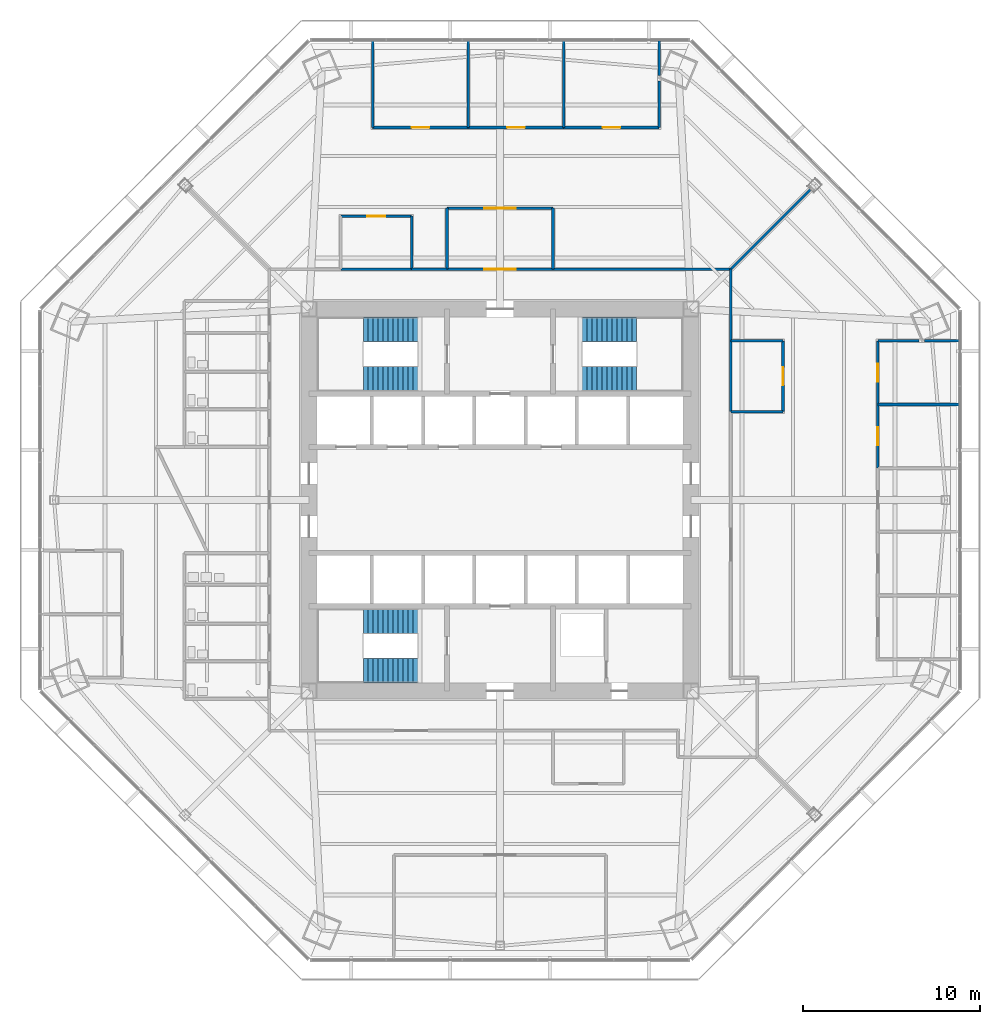
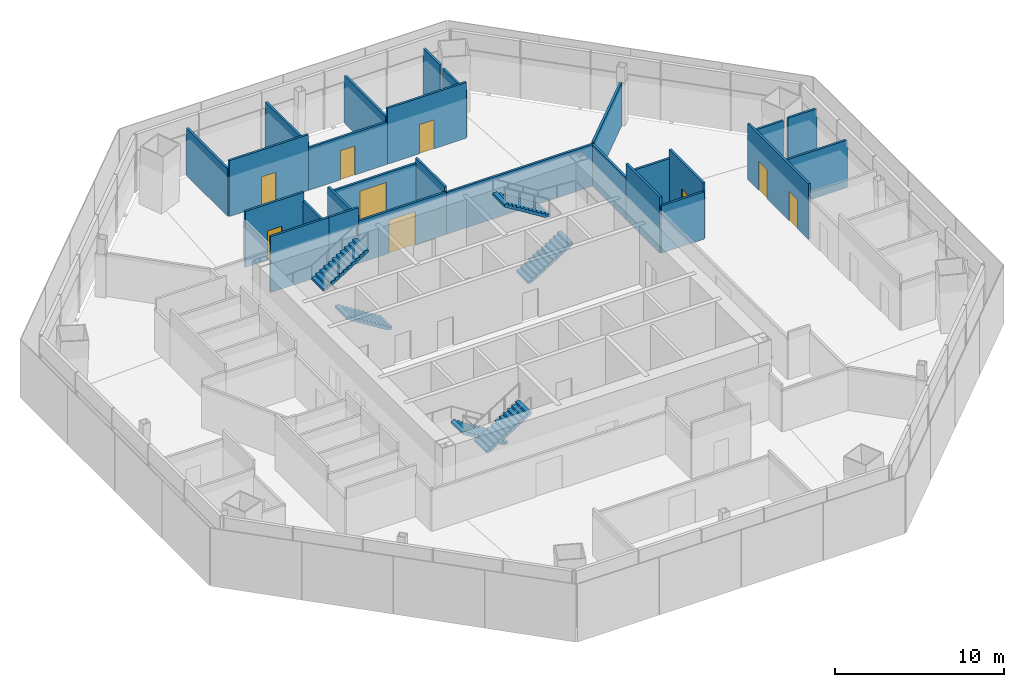
# One storey, part 11 of 15: 27 walls, 9 doors, 6 stair flights, 9 openings, 3 elements without a shape of their own.
"""IFC4 building model written with IfcOpenShell, lengths in metres."""

from ifc_helpers import new_model, si_unit, direction, frame, frame_2d, origin, place, context, subcontext, project, spatial, polyline, rectangle, outline, extrude, material, layer, layer_set, type_object, element, fill, aggregate, save


model = new_model("IFC4")

# Units and contexts
model_context = context("Model", 3, precision=1e-05, world=origin(), true_north=direction((0.0, 1.0)))
body_context = subcontext(model_context, "Body", "Model", "MODEL_VIEW")
ifc_project = project(units=[si_unit("LENGTHUNIT", "METRE"), si_unit("AREAUNIT", "SQUARE_METRE"), si_unit("VOLUMEUNIT", "CUBIC_METRE"), si_unit("PLANEANGLEUNIT", "RADIAN"), si_unit("MASSUNIT", "GRAM", prefix="KILO")], contexts=[model_context])

# Site, building, storey
site_placement = place(None, origin())
site = spatial("IfcSite", under=ifc_project, at=site_placement, CompositionType="ELEMENT")
building_placement = place(site_placement, origin())
building = spatial("IfcBuilding", under=site, at=building_placement, Name="Mashrafa Tower", CompositionType="ELEMENT")
storey_placement = place(building_placement, frame((0.0, 0.0, 70.800048828125)))
storey = spatial("IfcBuildingStorey", under=building, at=storey_placement, Name="L15", CompositionType="ELEMENT", Elevation=70.800048828125)

# Wall, opening, door
ifc_material_1 = material(Name="Gypsum board on steel studs", Category="steel")
ifc_layer_1 = layer(ifc_material_1, 0.14990234375)
ifc_layer_set_1 = layer_set([ifc_layer_1], Name="Corridor partition 150 1 hr")
wall_type_1 = type_object("IfcWallType", Name="Corridor partition 150 1 hr", PredefinedType="PARTITIONING", material=ifc_layer_set_1)
wall_1_placement = place(storey_placement, frame((3.0009765625, 13.050048828125, 0.0), z_axis=(0.0, 0.0, 1.0), x_axis=(-1.0, 0.0, 0.0)))
wall_1 = element("IfcWall", 1, at=wall_1_placement, inside=storey, type_object=wall_type_1, Name="Corridor wall L15-010", PredefinedType="PARTITIONING", context=body_context, shape_type="SweptSolid", body=[
    extrude(rectangle(XDim=6.001953125, YDim=0.14990234375, at=frame_2d((3.0009765625, 0.0))), origin(), (0.0, 0.0, 1.0), 3.06494140625),
])
opening_1_placement = place(wall_1_placement, frame((2.10107421875, 0.0, 0.0)))
opening_1 = element("IfcOpeningElement", 2, at=opening_1_placement, cuts=wall_1, Name="Opening 15.010", PredefinedType="OPENING", context=body_context, shape_type="SweptSolid", body=[
    extrude(rectangle(XDim=1.800048828125, YDim=2.39990234375, at=frame_2d((0.89990234375, 1.199951171875))), frame((0.0, 0.0849609375, 0.0), z_axis=(0.0, -1.0, 0.0), x_axis=(1.0, 0.0, 0.0)), (0.0, 0.0, 1.0), 0.169921875),
])
ifc_material_2 = material(Name="Steel door", Category="steel")
door_type_1 = type_object("IfcDoorType", Name="Door pair 1800 x 2400 90 min", OperationType="DOUBLE_DOOR_SINGLE_SWING", PredefinedType="DOOR", material=ifc_material_2)
door_1_placement = place(opening_1_placement, origin())
door_1 = element("IfcDoor", 3, at=door_1_placement, inside=storey, type_object=door_type_1, Name="Reception 15-N door", OperationType="DOUBLE_DOOR_SINGLE_SWING", OverallHeight=2.39990234375, OverallWidth=1.800048828125, PredefinedType="DOOR", context=body_context, shape_type="SweptSolid", body=[
    extrude(rectangle(XDim=1.800048828125, YDim=2.39990234375, at=frame_2d((0.89990234375, 1.199951171875))), frame((0.0, 0.02490234375, 0.0), z_axis=(0.0, -1.0, 0.0), x_axis=(1.0, 0.0, 0.0)), (0.0, 0.0, 1.0), 0.050048828125),
])
fill(opening_1, door_1)

# Walls
for number, where, z_axis, x_axis, name in (
    (4, (-4.9990234375, 13.050048828125, 0.0), (0.0, 0.0, 1.0), (-1.0, 0.0, 0.0), "Corridor wall L15-011"),
    (5, (13.050048828125, 4.9990234375, 0.0), (0.0, 0.0, 1.0), (0.0, 1.0, 0.0), "Corridor wall L15-012"),
):
    element("IfcWall", number, at=place(storey_placement, frame(where, z_axis=z_axis, x_axis=x_axis)), inside=storey, type_object=wall_type_1, Name=name, PredefinedType="PARTITIONING", context=body_context, shape_type="SweptSolid", body=[
        extrude(rectangle(XDim=4.001953125, YDim=0.14990234375, at=frame_2d((2.0009765625, 0.0))), origin(), (0.0, 0.0, 1.0), 4.034912109375),
    ])
wall_2_placement = place(storey_placement, frame((-2.9990234375, 13.050048828125, 0.0), z_axis=(0.0, 0.0, 1.0), x_axis=(-1.0, 0.0, 0.0)))
element("IfcWall", 6, at=wall_2_placement, inside=storey, type_object=wall_type_1, Name="Corridor wall L15-015", PredefinedType="PARTITIONING", context=body_context, shape_type="SweptSolid", body=[
    extrude(rectangle(XDim=2.001953125, YDim=0.14990234375, at=frame_2d((1.0009765625, 0.0))), origin(), (0.0, 0.0, 1.0), 4.034912109375),
])
wall_3_placement = place(storey_placement, frame((13.050048828125, 13.050048828125, 0.0), z_axis=(0.0, 0.0, 1.0), x_axis=(-1.0, 0.0, 0.0)))
element("IfcWall", 7, at=wall_3_placement, inside=storey, type_object=wall_type_1, Name="Corridor wall L15-016", PredefinedType="PARTITIONING", context=body_context, shape_type="SweptSolid", body=[
    extrude(rectangle(XDim=10.051025390625, YDim=0.14990234375, at=frame_2d((5.025390625, 0.0))), origin(), (0.0, 0.0, 1.0), 3.01416015625),
])
wall_4_placement = place(storey_placement, frame((13.050048828125, 8.9990234375, 0.0), z_axis=(0.0, 0.0, 1.0), x_axis=(0.0, 1.0, 0.0)))
element("IfcWall", 8, at=wall_4_placement, inside=storey, type_object=wall_type_1, Name="Corridor wall L15-017", PredefinedType="PARTITIONING", context=body_context, shape_type="SweptSolid", body=[
    extrude(rectangle(XDim=4.051025390625, YDim=0.14990234375, at=frame_2d((2.025390625, 0.0))), origin(), (0.0, 0.0, 1.0), 3.01416015625),
])
wall_5_placement = place(storey_placement, frame((3.0, 13.050048828125, 0.0), z_axis=(0.0, 0.0, 1.0), x_axis=(0.0, 1.0, 0.0)))
element("IfcWall", 9, at=wall_5_placement, inside=storey, type_object=wall_type_1, Name="Corridor wall L15-048", PredefinedType="PARTITIONING", context=body_context, shape_type="SweptSolid", body=[
    extrude(rectangle(XDim=3.449951171875, YDim=0.14990234375, at=frame_2d((1.72509765625, 0.0))), origin(), (0.0, 0.0, 1.0), 3.4228515625),
])

# Wall, opening, door
wall_6_placement = place(storey_placement, frame((3.0, 16.5, 0.0), z_axis=(0.0, 0.0, 1.0), x_axis=(-1.0, 0.0, 0.0)))
wall_6 = element("IfcWall", 10, at=wall_6_placement, inside=storey, type_object=wall_type_1, Name="Corridor wall L15-049", PredefinedType="PARTITIONING", context=body_context, shape_type="SweptSolid", body=[
    extrude(rectangle(XDim=6.0, YDim=0.14990234375, at=frame_2d((3.0, 0.0))), origin(), (0.0, 0.0, 1.0), 3.06494140625),
])
opening_2_placement = place(wall_6_placement, frame((2.10009765625, 0.0, 0.0)))
opening_2 = element("IfcOpeningElement", 11, at=opening_2_placement, cuts=wall_6, Name="Opening 15.025", PredefinedType="OPENING", context=body_context, shape_type="SweptSolid", body=[
    extrude(rectangle(XDim=1.800048828125, YDim=2.39990234375, at=frame_2d((0.89990234375, 1.199951171875))), frame((0.0, 0.0849609375, 0.0), z_axis=(0.0, -1.0, 0.0), x_axis=(1.0, 0.0, 0.0)), (0.0, 0.0, 1.0), 0.169921875),
])
door_2_placement = place(opening_2_placement, frame((1.800048828125, 0.0, 0.0), z_axis=(0.0, 0.0, 1.0), x_axis=(-1.0, 0.0, 0.0)))
door_2 = element("IfcDoor", 12, at=door_2_placement, inside=storey, type_object=door_type_1, Name="Office Tenancy 15-N door", OperationType="DOUBLE_DOOR_SINGLE_SWING", OverallHeight=2.39990234375, OverallWidth=1.800048828125, PredefinedType="DOOR", context=body_context, shape_type="SweptSolid", body=[
    extrude(rectangle(XDim=1.800048828125, YDim=2.39990234375, at=frame_2d((0.89990234375, 1.199951171875))), frame((0.0, 0.02490234375, 0.0), z_axis=(0.0, -1.0, 0.0), x_axis=(1.0, 0.0, 0.0)), (0.0, 0.0, 1.0), 0.050048828125),
])
fill(opening_2, door_2)

# Walls
wall_7_placement = place(storey_placement, frame((-3.0, 16.5, 0.0), z_axis=(0.0, 0.0, 1.0), x_axis=(0.0, -1.0, 0.0)))
element("IfcWall", 13, at=wall_7_placement, inside=storey, type_object=wall_type_1, Name="Corridor wall L15-050", PredefinedType="PARTITIONING", context=body_context, shape_type="SweptSolid", body=[
    extrude(rectangle(XDim=3.449951171875, YDim=0.14990234375, at=frame_2d((1.72509765625, 0.0))), origin(), (0.0, 0.0, 1.0), 3.4228515625),
])
ifc_material_3 = material(Name="Gypsum board on steel studs", Category="steel")
ifc_layer_2 = layer(ifc_material_3, 0.14990234375)
ifc_layer_set_2 = layer_set([ifc_layer_2], Name="Partition 150")
wall_type_2 = type_object("IfcWallType", Name="Partition 150", PredefinedType="PARTITIONING", material=ifc_layer_set_2)
wall_8_placement = place(storey_placement, frame((-5.0, 13.050048828125, 0.0), z_axis=(0.0, 0.0, 1.0), x_axis=(0.0, 1.0, 0.0)))
element("IfcWall", 14, at=wall_8_placement, inside=storey, type_object=wall_type_2, Name="Partition wall L15-051", PredefinedType="PARTITIONING", context=body_context, shape_type="SweptSolid", body=[
    extrude(rectangle(XDim=3.0, YDim=0.14990234375, at=frame_2d((1.5, 0.0))), origin(), (0.0, 0.0, 1.0), 3.4228515625),
])

# Wall, opening, door
wall_9_placement = place(storey_placement, frame((-5.0, 16.050048828125, 0.0), z_axis=(0.0, 0.0, 1.0), x_axis=(-1.0, 0.0, 0.0)))
wall_9 = element("IfcWall", 15, at=wall_9_placement, inside=storey, type_object=wall_type_2, Name="Partition wall L15-052", PredefinedType="PARTITIONING", context=body_context, shape_type="SweptSolid", body=[
    extrude(rectangle(XDim=4.0, YDim=0.14990234375, at=frame_2d((2.0, 0.0))), origin(), (0.0, 0.0, 1.0), 4.034912109375),
])
opening_3_placement = place(wall_9_placement, frame((1.5, 0.0, 0.0)))
opening_3 = element("IfcOpeningElement", 16, at=opening_3_placement, cuts=wall_9, Name="Opening 15.011", PredefinedType="OPENING", context=body_context, shape_type="SweptSolid", body=[
    extrude(rectangle(XDim=1.0, YDim=2.10009765625, at=frame_2d((0.5, 1.050048828125))), frame((0.0, 0.0849609375, 0.0), z_axis=(0.0, -1.0, 0.0), x_axis=(1.0, 0.0, 0.0)), (0.0, 0.0, 1.0), 0.169921875),
])
ifc_material_4 = material(Name="Timber door", Category="wood")
door_type_2 = type_object("IfcDoorType", Name="Door 1000 x 2100", OperationType="USERDEFINED", PredefinedType="DOOR", material=ifc_material_4)
door_3_placement = place(opening_3_placement, origin())
door_3 = element("IfcDoor", 17, at=door_3_placement, inside=storey, type_object=door_type_2, Name="Pantry 15-N door", OperationType="SINGLE_SWING_LEFT", OverallHeight=2.10009765625, OverallWidth=1.0, PredefinedType="DOOR", context=body_context, shape_type="SweptSolid", body=[
    extrude(rectangle(XDim=1.0, YDim=2.10009765625, at=frame_2d((0.5, 1.050048828125))), frame((0.0, 0.02490234375, 0.0), z_axis=(0.0, -1.0, 0.0), x_axis=(1.0, 0.0, 0.0)), (0.0, 0.0, 1.0), 0.050048828125),
])
fill(opening_3, door_3)

# Wall
wall_10_placement = place(storey_placement, frame((13.050048828125, 5.0, 0.0), z_axis=(0.0, 0.0, 1.0), x_axis=(1.0, 0.0, 0.0)))
element("IfcWall", 18, at=wall_10_placement, inside=storey, type_object=wall_type_2, Name="Partition wall L15-054", PredefinedType="PARTITIONING", context=body_context, shape_type="SweptSolid", body=[
    extrude(rectangle(XDim=2.949951171875, YDim=0.14990234375, at=frame_2d((1.47509765625, 0.0))), origin(), (0.0, 0.0, 1.0), 3.4228515625),
])

# Wall, opening, door
wall_11_placement = place(storey_placement, frame((16.0, 5.0, 0.0), z_axis=(0.0, 0.0, 1.0), x_axis=(0.0, 1.0, 0.0)))
wall_11 = element("IfcWall", 19, at=wall_11_placement, inside=storey, type_object=wall_type_2, Name="Partition wall L15-055", PredefinedType="PARTITIONING", context=body_context, shape_type="SweptSolid", body=[
    extrude(rectangle(XDim=4.0, YDim=0.14990234375, at=frame_2d((2.0, 0.0))), origin(), (0.0, 0.0, 1.0), 4.034912109375),
])
opening_4_placement = place(wall_11_placement, frame((1.5, 0.0, 0.0)))
opening_4 = element("IfcOpeningElement", 20, at=opening_4_placement, cuts=wall_11, Name="Opening 15.012", PredefinedType="OPENING", context=body_context, shape_type="SweptSolid", body=[
    extrude(rectangle(XDim=1.0, YDim=2.10009765625, at=frame_2d((0.5, 1.050048828125))), frame((0.0, 0.0849609375, 0.0), z_axis=(0.0, -1.0, 0.0), x_axis=(1.0, 0.0, 0.0)), (0.0, 0.0, 1.0), 0.169921875),
])
door_4_placement = place(opening_4_placement, origin())
door_4 = element("IfcDoor", 21, at=door_4_placement, inside=storey, type_object=door_type_2, Name="Pantry 15-E door", OperationType="SINGLE_SWING_LEFT", OverallHeight=2.10009765625, OverallWidth=1.0, PredefinedType="DOOR", context=body_context, shape_type="SweptSolid", body=[
    extrude(rectangle(XDim=1.0, YDim=2.10009765625, at=frame_2d((0.5, 1.050048828125))), frame((0.0, 0.02490234375, 0.0), z_axis=(0.0, -1.0, 0.0), x_axis=(1.0, 0.0, 0.0)), (0.0, 0.0, 1.0), 0.050048828125),
])
fill(opening_4, door_4)

# Walls
wall_12_placement = place(storey_placement, frame((16.0, 9.0, 0.0), z_axis=(0.0, 0.0, 1.0), x_axis=(-1.0, 0.0, 0.0)))
element("IfcWall", 22, at=wall_12_placement, inside=storey, type_object=wall_type_2, Name="Partition wall L15-056", PredefinedType="PARTITIONING", context=body_context, shape_type="SweptSolid", body=[
    extrude(rectangle(XDim=2.949951171875, YDim=0.14990234375, at=frame_2d((1.47509765625, 0.0))), origin(), (0.0, 0.0, 1.0), 3.4228515625),
])
wall_13_placement = place(storey_placement, frame((3.60009765625, 25.993896484375, 0.0), z_axis=(0.0, 0.0, 1.0), x_axis=(0.0, -1.0, 0.0)))
element("IfcWall", 23, at=wall_13_placement, inside=storey, type_object=wall_type_2, Name="Partition wall L15-063", PredefinedType="PARTITIONING", context=body_context, shape_type="SweptSolid", body=[
    extrude(rectangle(XDim=4.931884765625, YDim=0.14990234375, at=frame_2d((2.4658203125, 0.0))), origin(), (0.0, 0.0, 1.0), 3.4228515625),
])

# Wall, opening, door
wall_14_placement = place(storey_placement, frame((3.60009765625, 21.06201171875, 0.0), z_axis=(0.0, 0.0, 1.0), x_axis=(1.0, 0.0, 0.0)))
wall_14 = element("IfcWall", 24, at=wall_14_placement, inside=storey, type_object=wall_type_2, Name="Partition wall L15-064", PredefinedType="PARTITIONING", context=body_context, shape_type="SweptSolid", body=[
    extrude(rectangle(XDim=5.39990234375, YDim=0.14990234375, at=frame_2d((2.699951171875, 0.0))), origin(), (0.0, 0.0, 1.0), 4.034912109375),
])
opening_5_placement = place(wall_14_placement, frame((2.199951171875, 0.0, 0.0)))
opening_5 = element("IfcOpeningElement", 25, at=opening_5_placement, cuts=wall_14, Name="Opening 15.015", PredefinedType="OPENING", context=body_context, shape_type="SweptSolid", body=[
    extrude(rectangle(XDim=1.0, YDim=2.10009765625, at=frame_2d((0.5, 1.050048828125))), frame((0.0, 0.0849609375, 0.0), z_axis=(0.0, -1.0, 0.0), x_axis=(1.0, 0.0, 0.0)), (0.0, 0.0, 1.0), 0.169921875),
])
door_5_placement = place(opening_5_placement, origin())
door_5 = element("IfcDoor", 26, at=door_5_placement, inside=storey, type_object=door_type_2, Name="Meeting Room 15-N-1 door", OperationType="SINGLE_SWING_RIGHT", OverallHeight=2.10009765625, OverallWidth=1.0, PredefinedType="DOOR", context=body_context, shape_type="SweptSolid", body=[
    extrude(rectangle(XDim=1.0, YDim=2.10009765625, at=frame_2d((0.5, 1.050048828125))), frame((0.0, 0.02490234375, 0.0), z_axis=(0.0, -1.0, 0.0), x_axis=(1.0, 0.0, 0.0)), (0.0, 0.0, 1.0), 0.050048828125),
])
fill(opening_5, door_5)

# Walls
wall_15_placement = place(storey_placement, frame((9.0, 21.06201171875, 0.0), z_axis=(0.0, 0.0, 1.0), x_axis=(0.0, 1.0, 0.0)))
element("IfcWall", 27, at=wall_15_placement, inside=storey, type_object=wall_type_2, Name="Partition wall L15-065", PredefinedType="PARTITIONING", context=body_context, shape_type="SweptSolid", body=[
    extrude(rectangle(XDim=2.638427734375, YDim=0.14990234375, at=frame_2d((1.3193359375, 0.0))), origin(), (0.0, 0.0, 1.0), 3.4228515625),
])
wall_16_placement = place(storey_placement, frame((9.0, 23.998779296875, 0.0), z_axis=(0.0, 0.0, 1.0), x_axis=(0.0, 1.0, 0.0)))
element("IfcWall", 28, at=wall_16_placement, inside=storey, type_object=wall_type_2, Name="Partition wall L15-066", PredefinedType="PARTITIONING", context=body_context, shape_type="SweptSolid", body=[
    extrude(rectangle(XDim=1.9951171875, YDim=0.14990234375, at=frame_2d((0.99755859375, 0.0))), origin(), (0.0, 0.0, 1.0), 3.49658203125),
])
wall_17_placement = place(storey_placement, frame((-1.800048828125, 25.993896484375, 0.0), z_axis=(0.0, 0.0, 1.0), x_axis=(0.0, -1.0, 0.0)))
element("IfcWall", 29, at=wall_17_placement, inside=storey, type_object=wall_type_2, Name="Partition wall L15-067", PredefinedType="PARTITIONING", context=body_context, shape_type="SweptSolid", body=[
    extrude(rectangle(XDim=4.931884765625, YDim=0.14990234375, at=frame_2d((2.4658203125, 0.0))), origin(), (0.0, 0.0, 1.0), 3.4228515625),
])

# Wall, opening, door
wall_18_placement = place(storey_placement, frame((-1.800048828125, 21.06201171875, 0.0), z_axis=(0.0, 0.0, 1.0), x_axis=(1.0, 0.0, 0.0)))
wall_18 = element("IfcWall", 30, at=wall_18_placement, inside=storey, type_object=wall_type_2, Name="Partition wall L15-068", PredefinedType="PARTITIONING", context=body_context, shape_type="SweptSolid", body=[
    extrude(rectangle(XDim=5.400146484375, YDim=0.14990234375, at=frame_2d((2.7001953125, 0.0))), origin(), (0.0, 0.0, 1.0), 3.06494140625),
])
opening_6_placement = place(wall_18_placement, frame((2.199951171875, 0.0, 0.0)))
opening_6 = element("IfcOpeningElement", 31, at=opening_6_placement, cuts=wall_18, Name="Opening 15.016", PredefinedType="OPENING", context=body_context, shape_type="SweptSolid", body=[
    extrude(rectangle(XDim=1.0, YDim=2.10009765625, at=frame_2d((0.5, 1.050048828125))), frame((0.0, 0.0849609375, 0.0), z_axis=(0.0, -1.0, 0.0), x_axis=(1.0, 0.0, 0.0)), (0.0, 0.0, 1.0), 0.169921875),
])
door_6_placement = place(opening_6_placement, origin())
door_6 = element("IfcDoor", 32, at=door_6_placement, inside=storey, type_object=door_type_2, Name="Meeting Room 15-N-2 door", OperationType="SINGLE_SWING_LEFT", OverallHeight=2.10009765625, OverallWidth=1.0, PredefinedType="DOOR", context=body_context, shape_type="SweptSolid", body=[
    extrude(rectangle(XDim=1.0, YDim=2.10009765625, at=frame_2d((0.5, 1.050048828125))), frame((0.0, 0.02490234375, 0.0), z_axis=(0.0, -1.0, 0.0), x_axis=(1.0, 0.0, 0.0)), (0.0, 0.0, 1.0), 0.050048828125),
])
fill(opening_6, door_6)

# Wall
wall_19_placement = place(storey_placement, frame((-7.199951171875, 25.993896484375, 0.0), z_axis=(0.0, 0.0, 1.0), x_axis=(0.0, -1.0, 0.0)))
element("IfcWall", 33, at=wall_19_placement, inside=storey, type_object=wall_type_2, Name="Partition wall L15-069", PredefinedType="PARTITIONING", context=body_context, shape_type="SweptSolid", body=[
    extrude(rectangle(XDim=4.931884765625, YDim=0.14990234375, at=frame_2d((2.4658203125, 0.0))), origin(), (0.0, 0.0, 1.0), 3.4228515625),
])

# Wall, opening, door
wall_20_placement = place(storey_placement, frame((-7.199951171875, 21.06201171875, 0.0), z_axis=(0.0, 0.0, 1.0), x_axis=(1.0, 0.0, 0.0)))
wall_20 = element("IfcWall", 34, at=wall_20_placement, inside=storey, type_object=wall_type_2, Name="Partition wall L15-070", PredefinedType="PARTITIONING", context=body_context, shape_type="SweptSolid", body=[
    extrude(rectangle(XDim=5.39990234375, YDim=0.14990234375, at=frame_2d((2.699951171875, 0.0))), origin(), (0.0, 0.0, 1.0), 4.034912109375),
])
opening_7_placement = place(wall_20_placement, frame((2.199951171875, 0.0, 0.0)))
opening_7 = element("IfcOpeningElement", 35, at=opening_7_placement, cuts=wall_20, Name="Opening 15.017", PredefinedType="OPENING", context=body_context, shape_type="SweptSolid", body=[
    extrude(rectangle(XDim=1.0, YDim=2.10009765625, at=frame_2d((0.5, 1.050048828125))), frame((0.0, 0.0849609375, 0.0), z_axis=(0.0, -1.0, 0.0), x_axis=(1.0, 0.0, 0.0)), (0.0, 0.0, 1.0), 0.169921875),
])
door_7_placement = place(opening_7_placement, origin())
door_7 = element("IfcDoor", 36, at=door_7_placement, inside=storey, type_object=door_type_2, Name="Meeting Room 15-N-3 door", OperationType="SINGLE_SWING_LEFT", OverallHeight=2.10009765625, OverallWidth=1.0, PredefinedType="DOOR", context=body_context, shape_type="SweptSolid", body=[
    extrude(rectangle(XDim=1.0, YDim=2.10009765625, at=frame_2d((0.5, 1.050048828125))), frame((0.0, 0.02490234375, 0.0), z_axis=(0.0, -1.0, 0.0), x_axis=(1.0, 0.0, 0.0)), (0.0, 0.0, 1.0), 0.050048828125),
])
fill(opening_7, door_7)

# Wall
wall_21_placement = place(storey_placement, frame((25.993896484375, 5.39990234375, 0.0), z_axis=(0.0, 0.0, 1.0), x_axis=(-1.0, 0.0, 0.0)))
element("IfcWall", 37, at=wall_21_placement, inside=storey, type_object=wall_type_2, Name="Partition wall L15-079", PredefinedType="PARTITIONING", context=body_context, shape_type="SweptSolid", body=[
    extrude(rectangle(XDim=4.632080078125, YDim=0.14990234375, at=frame_2d((2.31591796875, 0.0))), origin(), (0.0, 0.0, 1.0), 3.4228515625),
])

# Wall, openings, doors
wall_22_placement = place(storey_placement, frame((21.36181640625, 1.800048828125, 0.0), z_axis=(0.0, 0.0, 1.0), x_axis=(0.0, 1.0, 0.0)))
wall_22 = element("IfcWall", 38, at=wall_22_placement, inside=storey, type_object=wall_type_2, Name="Partition wall L15-080", PredefinedType="PARTITIONING", context=body_context, shape_type="SweptSolid", body=[
    extrude(rectangle(XDim=7.199951171875, YDim=0.14990234375, at=frame_2d((3.60009765625, 0.0))), origin(), (0.0, 0.0, 1.0), 4.034912109375),
])
opening_8_placement = place(wall_22_placement, frame((1.300048828125, 0.0, 0.0)))
opening_8 = element("IfcOpeningElement", 39, at=opening_8_placement, cuts=wall_22, Name="Opening 15.021", PredefinedType="OPENING", context=body_context, shape_type="SweptSolid", body=[
    extrude(rectangle(XDim=1.0, YDim=2.10009765625, at=frame_2d((0.5, 1.050048828125))), frame((0.0, 0.0849609375, 0.0), z_axis=(0.0, -1.0, 0.0), x_axis=(1.0, 0.0, 0.0)), (0.0, 0.0, 1.0), 0.169921875),
])
opening_9_placement = place(wall_22_placement, frame((4.89990234375, 0.0, 0.0)))
opening_9 = element("IfcOpeningElement", 40, at=opening_9_placement, cuts=wall_22, Name="Opening 15.022", PredefinedType="OPENING", context=body_context, shape_type="SweptSolid", body=[
    extrude(rectangle(XDim=1.0, YDim=2.10009765625, at=frame_2d((0.5, 1.050048828125))), frame((0.0, 0.0849609375, 0.0), z_axis=(0.0, -1.0, 0.0), x_axis=(1.0, 0.0, 0.0)), (0.0, 0.0, 1.0), 0.169921875),
])
door_8_placement = place(opening_8_placement, frame((1.0, 0.0, 0.0), z_axis=(0.0, 0.0, 1.0), x_axis=(-1.0, 0.0, 0.0)))
door_8 = element("IfcDoor", 41, at=door_8_placement, inside=storey, type_object=door_type_2, Name="Office 15-E-4 door", OperationType="SINGLE_SWING_RIGHT", OverallHeight=2.10009765625, OverallWidth=1.0, PredefinedType="DOOR", context=body_context, shape_type="SweptSolid", body=[
    extrude(rectangle(XDim=1.0, YDim=2.10009765625, at=frame_2d((0.5, 1.050048828125))), frame((0.0, 0.02490234375, 0.0), z_axis=(0.0, -1.0, 0.0), x_axis=(1.0, 0.0, 0.0)), (0.0, 0.0, 1.0), 0.050048828125),
])
fill(opening_8, door_8)
door_9_placement = place(opening_9_placement, frame((1.0, 0.0, 0.0), z_axis=(0.0, 0.0, 1.0), x_axis=(-1.0, 0.0, 0.0)))
door_9 = element("IfcDoor", 42, at=door_9_placement, inside=storey, type_object=door_type_2, Name="Office 15-E-5 door", OperationType="SINGLE_SWING_LEFT", OverallHeight=2.10009765625, OverallWidth=1.0, PredefinedType="DOOR", context=body_context, shape_type="SweptSolid", body=[
    extrude(rectangle(XDim=1.0, YDim=2.10009765625, at=frame_2d((0.5, 1.050048828125))), frame((0.0, 0.02490234375, 0.0), z_axis=(0.0, -1.0, 0.0), x_axis=(1.0, 0.0, 0.0)), (0.0, 0.0, 1.0), 0.050048828125),
])
fill(opening_9, door_9)

# Walls
wall_23_placement = place(storey_placement, frame((25.993896484375, 9.0, 0.0), z_axis=(0.0, 0.0, 1.0), x_axis=(-1.0, 0.0, 0.0)))
element("IfcWall", 43, at=wall_23_placement, inside=storey, type_object=wall_type_2, Name="Partition wall L15-081", PredefinedType="PARTITIONING", context=body_context, shape_type="SweptSolid", body=[
    extrude(rectangle(XDim=1.9951171875, YDim=0.14990234375, at=frame_2d((0.99755859375, 0.0))), origin(), (0.0, 0.0, 1.0), 3.49658203125),
])
wall_24_placement = place(storey_placement, frame((23.700439453125, 9.0, 0.0), z_axis=(0.0, 0.0, 1.0), x_axis=(-1.0, 0.0, 0.0)))
element("IfcWall", 44, at=wall_24_placement, inside=storey, type_object=wall_type_2, Name="Partition wall L15-082", PredefinedType="PARTITIONING", context=body_context, shape_type="SweptSolid", body=[
    extrude(rectangle(XDim=2.338623046875, YDim=0.14990234375, at=frame_2d((1.16943359375, 0.0))), origin(), (0.0, 0.0, 1.0), 3.4228515625),
])
wall_25_placement = place(storey_placement, frame((13.050048828125, 13.050048828125, 0.0), z_axis=(0.0, 0.0, 1.0), x_axis=(0.707106781187, 0.707106781187, 0.0)))
element("IfcWall", 45, at=wall_25_placement, inside=storey, type_object=wall_type_2, Name="Partition wall L15-090", PredefinedType="PARTITIONING", context=body_context, shape_type="SweptSolid", body=[
    extrude(rectangle(XDim=6.368408203125, YDim=0.14990234375, at=frame_2d((3.18408203125, 0.0))), origin(), (0.0, 0.0, 1.0), 3.113037109375),
])

# Stair, stair flights
ifc_material_5 = material(Name="Exit stair 1400")
stair_type = type_object("IfcStairType", Name="Exit stair 1400", PredefinedType="HALF_TURN_STAIR", material=ifc_material_5)
stair_1_placement = place(storey_placement, origin())
stair_1 = element("IfcStair", 46, at=stair_1_placement, inside=storey, type_object=stair_type, Name="Stair S1 L15", PredefinedType="HALF_TURN_STAIR")
ifc_material_6 = material(Name="Concrete C32/40", Category="concrete")
stair_flight_type = type_object("IfcStairFlightType", Name="Stair flight 1400", PredefinedType="STRAIGHT", material=ifc_material_6)
stair_flight_1_placement = place(storey_placement, frame((-4.64990234375, 6.85009765625, 0.0), z_axis=(0.0, 0.0, 1.0), x_axis=(-1.0, 0.0, 0.0)))
stair_flight_1 = element("IfcStairFlight", 47, at=stair_flight_1_placement, type_object=stair_flight_type, Name="S1 flight 1", NumberOfRisers=12, NumberOfTreads=11, PredefinedType="STRAIGHT", RiserHeight=0.175, TreadLength=0.28, context=body_context, shape_type="SweptSolid", body=[
    extrude(outline(polyline([(0.0, 0.0), (0.0, 0.175048828125), (0.280029296875, 0.175048828125), (0.280029296875, 0.35009765625), (0.56005859375, 0.35009765625), (0.56005859375, 0.52490234375), (0.840087890625, 0.52490234375), (0.840087890625, 0.699951171875), (1.1201171875, 0.699951171875), (1.1201171875, 0.875), (1.39990234375, 0.875), (1.39990234375, 1.050048828125), (1.679931640625, 1.050048828125), (1.679931640625, 1.22509765625), (1.9599609375, 1.22509765625), (1.9599609375, 1.39990234375), (2.239990234375, 1.39990234375), (2.239990234375, 1.574951171875), (2.52001953125, 1.574951171875), (2.52001953125, 1.75), (2.800048828125, 1.75), (2.800048828125, 1.925048828125), (3.080078125, 1.925048828125), (3.080078125, 2.10009765625), (3.080078125, 1.748291015625), (0.28271484375, 0.0), (0.0, 0.0)])), frame((0.0, 0.699951171875, 0.0), z_axis=(0.0, -1.0, 0.0), x_axis=(1.0, 0.0, 0.0)), (0.0, 0.0, 1.0), 1.39990234375),
])
stair_flight_2_placement = place(storey_placement, frame((-7.72998046875, 9.64990234375, 2.099853515625), z_axis=(0.0, 0.0, 1.0), x_axis=(1.0, 0.0, 0.0)))
stair_flight_2 = element("IfcStairFlight", 48, at=stair_flight_2_placement, type_object=stair_flight_type, Name="S1 flight 2", NumberOfRisers=12, NumberOfTreads=11, PredefinedType="STRAIGHT", RiserHeight=0.175, TreadLength=0.28, context=body_context, shape_type="SweptSolid", body=[
    extrude(outline(polyline([(0.0, 0.0), (0.0, 0.175048828125), (0.280029296875, 0.175048828125), (0.280029296875, 0.35009765625), (0.56005859375, 0.35009765625), (0.56005859375, 0.52490234375), (0.840087890625, 0.52490234375), (0.840087890625, 0.699951171875), (1.1201171875, 0.699951171875), (1.1201171875, 0.875), (1.39990234375, 0.875), (1.39990234375, 1.050048828125), (1.679931640625, 1.050048828125), (1.679931640625, 1.22509765625), (1.9599609375, 1.22509765625), (1.9599609375, 1.39990234375), (2.239990234375, 1.39990234375), (2.239990234375, 1.574951171875), (2.52001953125, 1.574951171875), (2.52001953125, 1.75), (2.800048828125, 1.75), (2.800048828125, 1.925048828125), (3.080078125, 1.925048828125), (3.080078125, 2.10009765625), (3.080078125, 1.748291015625), (0.28271484375, 0.0), (0.0, 0.0)])), frame((0.0, 0.699951171875, 0.0), z_axis=(0.0, -1.0, 0.0), x_axis=(1.0, 0.0, 0.0)), (0.0, 0.0, 1.0), 1.39990234375),
])
aggregate(stair_1, [stair_flight_1, stair_flight_2])

stair_2_placement = place(storey_placement, origin())
stair_2 = element("IfcStair", 49, at=stair_2_placement, inside=storey, type_object=stair_type, Name="Stair S2 L15", PredefinedType="HALF_TURN_STAIR")
stair_flight_3_placement = place(storey_placement, frame((4.64990234375, 6.85009765625, 0.0), z_axis=(0.0, 0.0, 1.0), x_axis=(1.0, 0.0, 0.0)))
stair_flight_3 = element("IfcStairFlight", 50, at=stair_flight_3_placement, type_object=stair_flight_type, Name="S2 flight 1", NumberOfRisers=12, NumberOfTreads=11, PredefinedType="STRAIGHT", RiserHeight=0.175, TreadLength=0.28, context=body_context, shape_type="SweptSolid", body=[
    extrude(outline(polyline([(0.0, 0.0), (0.0, 0.175048828125), (0.280029296875, 0.175048828125), (0.280029296875, 0.35009765625), (0.56005859375, 0.35009765625), (0.56005859375, 0.52490234375), (0.840087890625, 0.52490234375), (0.840087890625, 0.699951171875), (1.1201171875, 0.699951171875), (1.1201171875, 0.875), (1.39990234375, 0.875), (1.39990234375, 1.050048828125), (1.679931640625, 1.050048828125), (1.679931640625, 1.22509765625), (1.9599609375, 1.22509765625), (1.9599609375, 1.39990234375), (2.239990234375, 1.39990234375), (2.239990234375, 1.574951171875), (2.52001953125, 1.574951171875), (2.52001953125, 1.75), (2.800048828125, 1.75), (2.800048828125, 1.925048828125), (3.080078125, 1.925048828125), (3.080078125, 2.10009765625), (3.080078125, 1.748291015625), (0.28271484375, 0.0), (0.0, 0.0)])), frame((0.0, 0.699951171875, 0.0), z_axis=(0.0, -1.0, 0.0), x_axis=(1.0, 0.0, 0.0)), (0.0, 0.0, 1.0), 1.39990234375),
])
stair_flight_4_placement = place(storey_placement, frame((7.72998046875, 9.64990234375, 2.099853515625), z_axis=(0.0, 0.0, 1.0), x_axis=(-1.0, 0.0, 0.0)))
stair_flight_4 = element("IfcStairFlight", 51, at=stair_flight_4_placement, type_object=stair_flight_type, Name="S2 flight 2", NumberOfRisers=12, NumberOfTreads=11, PredefinedType="STRAIGHT", RiserHeight=0.175, TreadLength=0.28, context=body_context, shape_type="SweptSolid", body=[
    extrude(outline(polyline([(0.0, 0.0), (0.0, 0.175048828125), (0.280029296875, 0.175048828125), (0.280029296875, 0.35009765625), (0.56005859375, 0.35009765625), (0.56005859375, 0.52490234375), (0.840087890625, 0.52490234375), (0.840087890625, 0.699951171875), (1.1201171875, 0.699951171875), (1.1201171875, 0.875), (1.39990234375, 0.875), (1.39990234375, 1.050048828125), (1.679931640625, 1.050048828125), (1.679931640625, 1.22509765625), (1.9599609375, 1.22509765625), (1.9599609375, 1.39990234375), (2.239990234375, 1.39990234375), (2.239990234375, 1.574951171875), (2.52001953125, 1.574951171875), (2.52001953125, 1.75), (2.800048828125, 1.75), (2.800048828125, 1.925048828125), (3.080078125, 1.925048828125), (3.080078125, 2.10009765625), (3.080078125, 1.748291015625), (0.28271484375, 0.0), (0.0, 0.0)])), frame((0.0, 0.699951171875, 0.0), z_axis=(0.0, -1.0, 0.0), x_axis=(1.0, 0.0, 0.0)), (0.0, 0.0, 1.0), 1.39990234375),
])
aggregate(stair_2, [stair_flight_3, stair_flight_4])

stair_3_placement = place(storey_placement, origin())
stair_3 = element("IfcStair", 52, at=stair_3_placement, inside=storey, type_object=stair_type, Name="Stair S3 L15", PredefinedType="HALF_TURN_STAIR")
stair_flight_5_placement = place(storey_placement, frame((-4.64990234375, -6.85009765625, 0.0), z_axis=(0.0, 0.0, 1.0), x_axis=(-1.0, 0.0, 0.0)))
stair_flight_5 = element("IfcStairFlight", 53, at=stair_flight_5_placement, type_object=stair_flight_type, Name="S3 flight 1", NumberOfRisers=12, NumberOfTreads=11, PredefinedType="STRAIGHT", RiserHeight=0.175, TreadLength=0.28, context=body_context, shape_type="SweptSolid", body=[
    extrude(outline(polyline([(0.0, 0.0), (0.0, 0.175048828125), (0.280029296875, 0.175048828125), (0.280029296875, 0.35009765625), (0.56005859375, 0.35009765625), (0.56005859375, 0.52490234375), (0.840087890625, 0.52490234375), (0.840087890625, 0.699951171875), (1.1201171875, 0.699951171875), (1.1201171875, 0.875), (1.39990234375, 0.875), (1.39990234375, 1.050048828125), (1.679931640625, 1.050048828125), (1.679931640625, 1.22509765625), (1.9599609375, 1.22509765625), (1.9599609375, 1.39990234375), (2.239990234375, 1.39990234375), (2.239990234375, 1.574951171875), (2.52001953125, 1.574951171875), (2.52001953125, 1.75), (2.800048828125, 1.75), (2.800048828125, 1.925048828125), (3.080078125, 1.925048828125), (3.080078125, 2.10009765625), (3.080078125, 1.748291015625), (0.28271484375, 0.0), (0.0, 0.0)])), frame((0.0, 0.699951171875, 0.0), z_axis=(0.0, -1.0, 0.0), x_axis=(1.0, 0.0, 0.0)), (0.0, 0.0, 1.0), 1.39990234375),
])
stair_flight_6_placement = place(storey_placement, frame((-7.72998046875, -9.64990234375, 2.099853515625), z_axis=(0.0, 0.0, 1.0), x_axis=(1.0, 0.0, 0.0)))
stair_flight_6 = element("IfcStairFlight", 54, at=stair_flight_6_placement, type_object=stair_flight_type, Name="S3 flight 2", NumberOfRisers=12, NumberOfTreads=11, PredefinedType="STRAIGHT", RiserHeight=0.175, TreadLength=0.28, context=body_context, shape_type="SweptSolid", body=[
    extrude(outline(polyline([(0.0, 0.0), (0.0, 0.175048828125), (0.280029296875, 0.175048828125), (0.280029296875, 0.35009765625), (0.56005859375, 0.35009765625), (0.56005859375, 0.52490234375), (0.840087890625, 0.52490234375), (0.840087890625, 0.699951171875), (1.1201171875, 0.699951171875), (1.1201171875, 0.875), (1.39990234375, 0.875), (1.39990234375, 1.050048828125), (1.679931640625, 1.050048828125), (1.679931640625, 1.22509765625), (1.9599609375, 1.22509765625), (1.9599609375, 1.39990234375), (2.239990234375, 1.39990234375), (2.239990234375, 1.574951171875), (2.52001953125, 1.574951171875), (2.52001953125, 1.75), (2.800048828125, 1.75), (2.800048828125, 1.925048828125), (3.080078125, 1.925048828125), (3.080078125, 2.10009765625), (3.080078125, 1.748291015625), (0.28271484375, 0.0), (0.0, 0.0)])), frame((0.0, 0.699951171875, 0.0), z_axis=(0.0, -1.0, 0.0), x_axis=(1.0, 0.0, 0.0)), (0.0, 0.0, 1.0), 1.39990234375),
])
aggregate(stair_3, [stair_flight_5, stair_flight_6])

save(model, "model.ifc")
